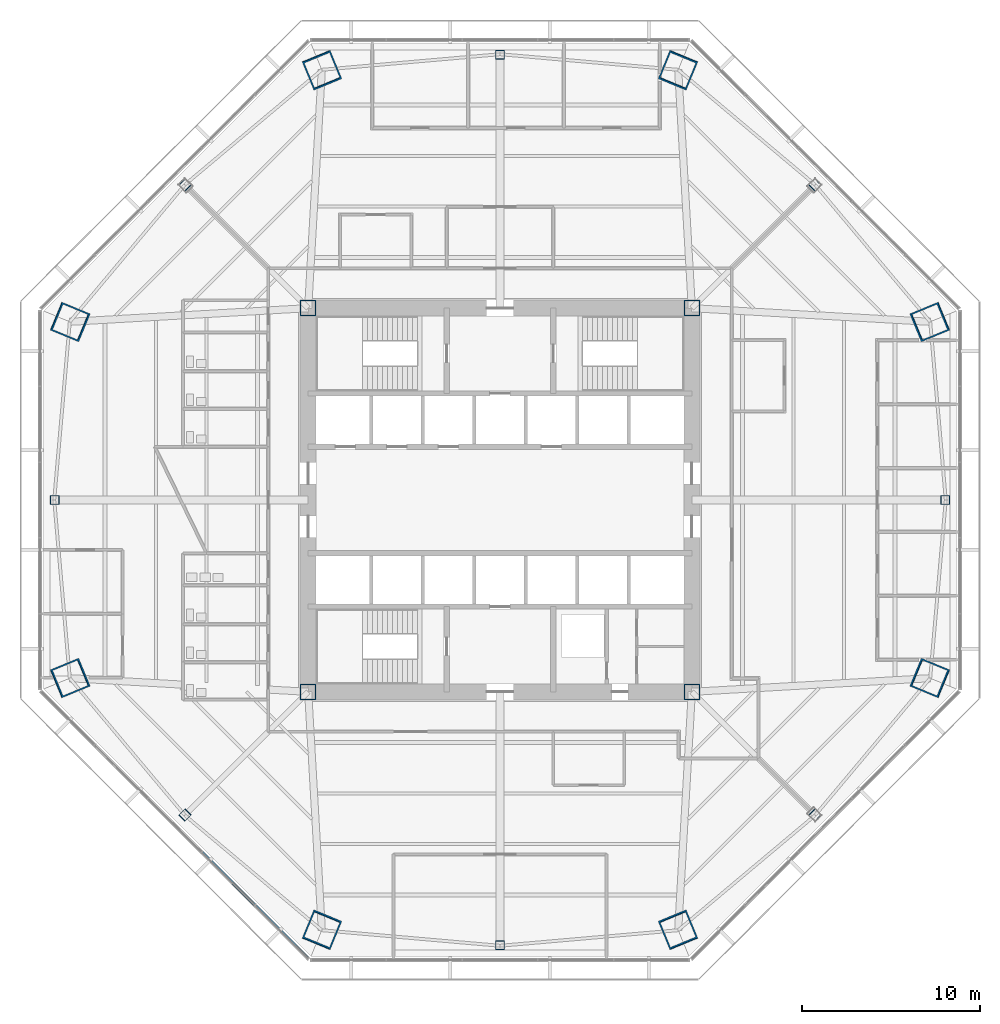
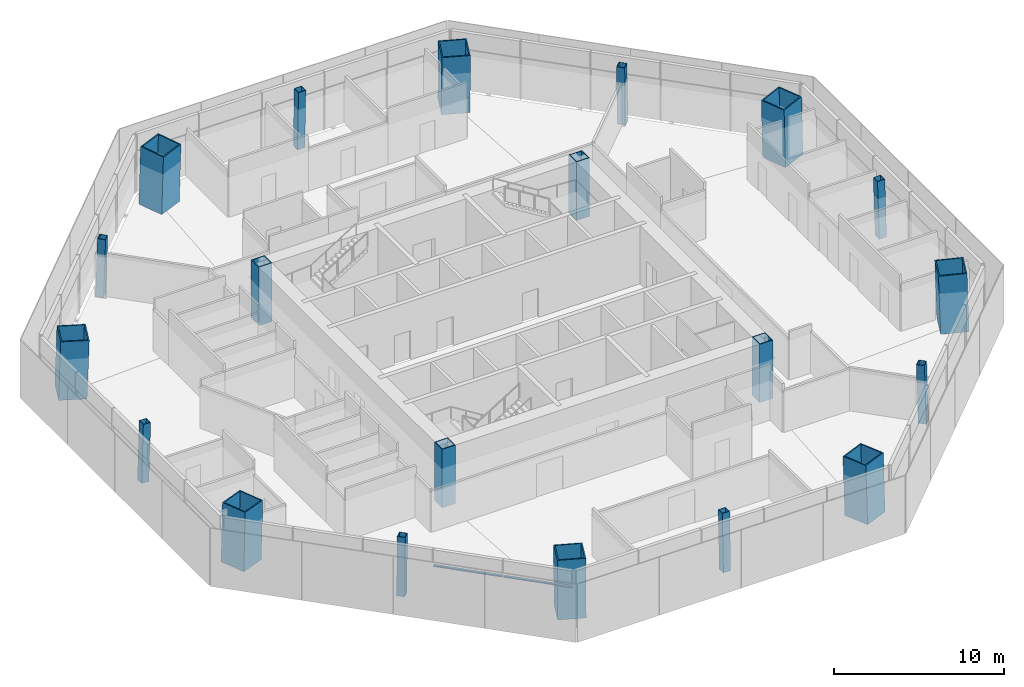
# One storey, part 1 of 15: 20 columns, 2 members, 1 element without a shape of its own.
"""IFC4 building model written with IfcOpenShell, lengths in metres."""

from ifc_helpers import new_model, si_unit, direction, frame, origin, origin_2d, place, context, subcontext, project, spatial, rectangle, hollow_rectangle, extrude, source, transform, mapped, material, material_profile, profile_set, type_object, type_shapes, element, aggregate, save


model = new_model("IFC4")

# Units and contexts
model_context = context("Model", 3, precision=1e-05, world=origin(), true_north=direction((0.0, 1.0)))
body_context = subcontext(model_context, "Body", "Model", "MODEL_VIEW")
ifc_project = project(units=[si_unit("LENGTHUNIT", "METRE"), si_unit("AREAUNIT", "SQUARE_METRE"), si_unit("VOLUMEUNIT", "CUBIC_METRE"), si_unit("PLANEANGLEUNIT", "RADIAN"), si_unit("MASSUNIT", "GRAM", prefix="KILO")], contexts=[model_context])

# Site, building, storey
site_placement = place(None, origin())
site = spatial("IfcSite", under=ifc_project, at=site_placement, CompositionType="ELEMENT")
building_placement = place(site_placement, origin())
building = spatial("IfcBuilding", under=site, at=building_placement, Name="Mashrafa Tower", CompositionType="ELEMENT")
storey_placement = place(building_placement, frame((0.0, 0.0, 75.0)))
storey = spatial("IfcBuildingStorey", under=building, at=storey_placement, Name="L16", CompositionType="ELEMENT", Elevation=75.0)

# Columns
ifc_material_1 = material(Name="Steel ASTM A572 Gr 50", Category="steel")
ifc_material_profile_1 = material_profile(ifc_material_1, hollow_rectangle(XDim=0.89990234375, YDim=0.89990234375, WallThickness=0.06005859375, at=origin_2d()), Name="BOX900X900X60")
ifc_profile_set_1 = profile_set([ifc_material_profile_1], Name="Steel ASTM A572 Gr 50")
column_type_1 = type_object("IfcColumnType", Name="Core corner column BOX900X900X60", PredefinedType="COLUMN", material=ifc_profile_set_1)
for number, where, z_axis, x_axis, name in (
    (1, (10.800048828125, 10.800048828125, 0.0), (0.0, 0.0, 1.0), (1.0, 0.0, 0.0), "Core corner column CC-NE L16"),
    (2, (-10.800048828125, 10.800048828125, 0.0), (0.0, 0.0, 1.0), (1.0, 0.0, 0.0), "Core corner column CC-NW L16"),
    (3, (-10.800048828125, -10.800048828125, 0.0), (0.0, 0.0, 1.0), (1.0, 0.0, 0.0), "Core corner column CC-SW L16"),
    (4, (10.800048828125, -10.800048828125, 0.0), (0.0, 0.0, 1.0), (1.0, 0.0, 0.0), "Core corner column CC-SE L16"),
):
    element("IfcColumn", number, at=place(storey_placement, frame(where, z_axis=z_axis, x_axis=x_axis)), inside=storey, type_object=column_type_1, Name=name, PredefinedType="COLUMN", context=body_context, shape_type="SweptSolid", body=[
        extrude(hollow_rectangle(XDim=0.89990234375, YDim=0.89990234375, WallThickness=0.06005859375, at=origin_2d()), origin(), (0.0, 0.0, 1.0), 4.199951171875),
    ])
ifc_material_2 = material(Name="Steel ASTM A572 Gr 50", Category="steel")
ifc_material_profile_2 = material_profile(ifc_material_2, hollow_rectangle(XDim=1.699951171875, YDim=1.699951171875, WallThickness=0.080078125, at=origin_2d()), Name="BOX1700X1700X80")
ifc_profile_set_2 = profile_set([ifc_material_profile_2], Name="Steel ASTM A572 Gr 50")
column_type_2 = type_object("IfcColumnType", Name="Mega column CFST BOX1700X1700X80", PredefinedType="COLUMN", material=ifc_profile_set_2)
for number, where, z_axis, x_axis, name in (
    (5, (24.21484375, 10.030029296875, 0.0), (-0.028295749455, -0.011678533143, 0.999531371407), (0.38151339852, -0.924363308851, 0.0), "Mega column MC1 L16"),
    (6, (10.030029296875, 24.21484375, 0.0), (-0.011678533143, -0.028295749455, 0.999531371407), (0.924363308851, -0.38151339852, 0.0), "Mega column MC2 L16"),
    (7, (-10.030029296875, 24.21484375, 0.0), (0.011678533143, -0.028295749455, 0.999531371407), (0.924363308851, 0.38151339852, 0.0), "Mega column MC3 L16"),
    (8, (-24.21484375, 10.030029296875, 0.0), (0.028295749455, -0.011678533143, 0.999531371407), (0.38151339852, 0.924363308851, 0.0), "Mega column MC4 L16"),
    (9, (-24.21484375, -10.030029296875, 0.0), (0.028295749455, 0.011678533143, 0.999531371407), (-0.38151339852, 0.924363308851, 0.0), "Mega column MC5 L16"),
    (10, (-10.030029296875, -24.21484375, 0.0), (0.011678533143, 0.028295749455, 0.999531371407), (-0.924363308851, 0.38151339852, 0.0), "Mega column MC6 L16"),
    (11, (10.030029296875, -24.21484375, 0.0), (-0.011678533143, 0.028295749455, 0.999531371407), (-0.924363308851, -0.38151339852, 0.0), "Mega column MC7 L16"),
    (12, (24.21484375, -10.030029296875, 0.0), (-0.028295749455, 0.011678533143, 0.999531371407), (-0.38151339852, -0.924363308851, 0.0), "Mega column MC8 L16"),
):
    element("IfcColumn", number, at=place(storey_placement, frame(where, z_axis=z_axis, x_axis=x_axis)), inside=storey, type_object=column_type_2, Name=name, PredefinedType="COLUMN", context=body_context, shape_type="SweptSolid", body=[
        extrude(hollow_rectangle(XDim=1.699951171875, YDim=1.699951171875, WallThickness=0.080078125, at=origin_2d()), origin(), (0.0, 0.0, 1.0), 4.201904296875),
    ])
ifc_material_3 = material(Name="Steel ASTM A572 Gr 50", Category="steel")
ifc_material_profile_3 = material_profile(ifc_material_3, hollow_rectangle(XDim=0.5, YDim=0.5, WallThickness=0.02490234375, at=origin_2d()), Name="BOX500X500X25")
ifc_profile_set_3 = profile_set([ifc_material_profile_3], Name="Steel ASTM A572 Gr 50")
column_type_3 = type_object("IfcColumnType", Name="Secondary column BOX500X500X25", PredefinedType="COLUMN", material=ifc_profile_set_3)
for number, where, z_axis, x_axis, name in (
    (13, (25.093017578125, 0.0, 0.0), (-0.028239619523, 0.0, 0.999601182417), (0.0, -1.0, 0.0), "Secondary column SC1 L16"),
    (14, (17.743408203125, 17.743408203125, 0.0), (-0.019988521213, -0.019988521213, 0.999600379171), (0.707106781187, -0.707106781187, 0.0), "Secondary column SC2 L16"),
    (15, (0.0, 25.093017578125, 0.0), (0.0, -0.028239619523, 0.999601182417), (1.0, 0.0, 0.0), "Secondary column SC3 L16"),
    (16, (-17.743408203125, 17.743408203125, 0.0), (0.019988521213, -0.019988521213, 0.999600379171), (0.707106781187, 0.707106781187, 0.0), "Secondary column SC4 L16"),
    (17, (-25.093017578125, 0.0, 0.0), (0.028239619523, 0.0, 0.999601182417), (0.0, 1.0, 0.0), "Secondary column SC5 L16"),
    (18, (-17.743408203125, -17.743408203125, 0.0), (0.019988521213, 0.019988521213, 0.999600379171), (-0.707106781187, 0.707106781187, 0.0), "Secondary column SC6 L16"),
    (19, (0.0, -25.093017578125, 0.0), (0.0, 0.028239619523, 0.999601182417), (-1.0, 0.0, 0.0), "Secondary column SC7 L16"),
    (20, (17.743408203125, -17.743408203125, 0.0), (-0.019988521213, 0.019988521213, 0.999600379171), (-0.707106781187, -0.707106781187, 0.0), "Secondary column SC8 L16"),
):
    element("IfcColumn", number, at=place(storey_placement, frame(where, z_axis=z_axis, x_axis=x_axis)), inside=storey, type_object=column_type_3, Name=name, PredefinedType="COLUMN", context=body_context, shape_type="SweptSolid", body=[
        extrude(hollow_rectangle(XDim=0.5, YDim=0.5, WallThickness=0.02490234375, at=origin_2d()), origin(), (0.0, 0.0, 1.0), 4.20166015625),
    ])

# Curtain wall, members
ifc_material_4 = material(Name="Unitised aluminium curtain wall", Category="aluminium")
curtain_wall_type = type_object("IfcCurtainWallType", Name="Office curtain wall, zone 1 CW-A 200 deep", PredefinedType="NOTDEFINED", material=ifc_material_4)
curtain_wall_placement = place(storey_placement, origin())
curtain_wall = element("IfcCurtainWall", 21, at=curtain_wall_placement, inside=storey, type_object=curtain_wall_type, Name="Office curtain wall, zone 1 L16 south-west", PredefinedType="NOTDEFINED")
ifc_material_5 = material(Name="Extruded aluminium transom", Category="aluminium")
ifc_material_profile_4 = material_profile(ifc_material_5, rectangle(XDim=0.159912109375, YDim=0.080078125, at=origin_2d()), Name="Transom 80x160")
ifc_profile_set_4 = profile_set([ifc_material_profile_4], Name="Extruded aluminium transom")
member_type = type_object("IfcMemberType", Name="Transom CW-A 80 x 160", PredefinedType="MULLION", material=ifc_profile_set_4)
shared_shape_1 = source(origin(), body_context, "Body", "SweptSolid", [
    extrude(rectangle(XDim=0.159912109375, YDim=0.080078125, at=origin_2d()), origin(), (0.0, 0.0, 1.0), 4.172119140625),
])
member_1_placement = place(storey_placement, frame((-13.757568359375, -22.860595703125, 3.0), z_axis=(0.707077521394, -0.707136039769, 0.0), x_axis=(0.707136039769, 0.707077521394, 0.0)))
member_1 = element("IfcMember", 22, at=member_1_placement, type_object=member_type, Name="CW-A transom 5", PredefinedType="MULLION", context=body_context, shape_type="MappedRepresentation", body=[
    mapped(shared_shape_1, transform((0.0, 0.0, 0.0))),
])
shared_shape_2 = source(origin(), body_context, "Body", "SweptSolid", [
    extrude(rectangle(XDim=0.159912109375, YDim=0.080078125, at=origin_2d()), origin(), (0.0, 0.0, 1.0), 4.20458984375),
])
type_shapes(member_type, [shared_shape_1, shared_shape_2])
member_2_placement = place(storey_placement, frame((-16.776611328125, -19.841552734375, 3.0), z_axis=(0.707077747259, -0.707135813922, 0.0), x_axis=(0.707135813922, 0.707077747259, 0.0)))
member_2 = element("IfcMember", 23, at=member_2_placement, type_object=member_type, Name="CW-A transom 4", PredefinedType="MULLION", context=body_context, shape_type="MappedRepresentation", body=[
    mapped(shared_shape_2, transform((0.0, 0.0, 0.0))),
])
aggregate(curtain_wall, [member_2, member_1])

save(model, "model.ifc")
